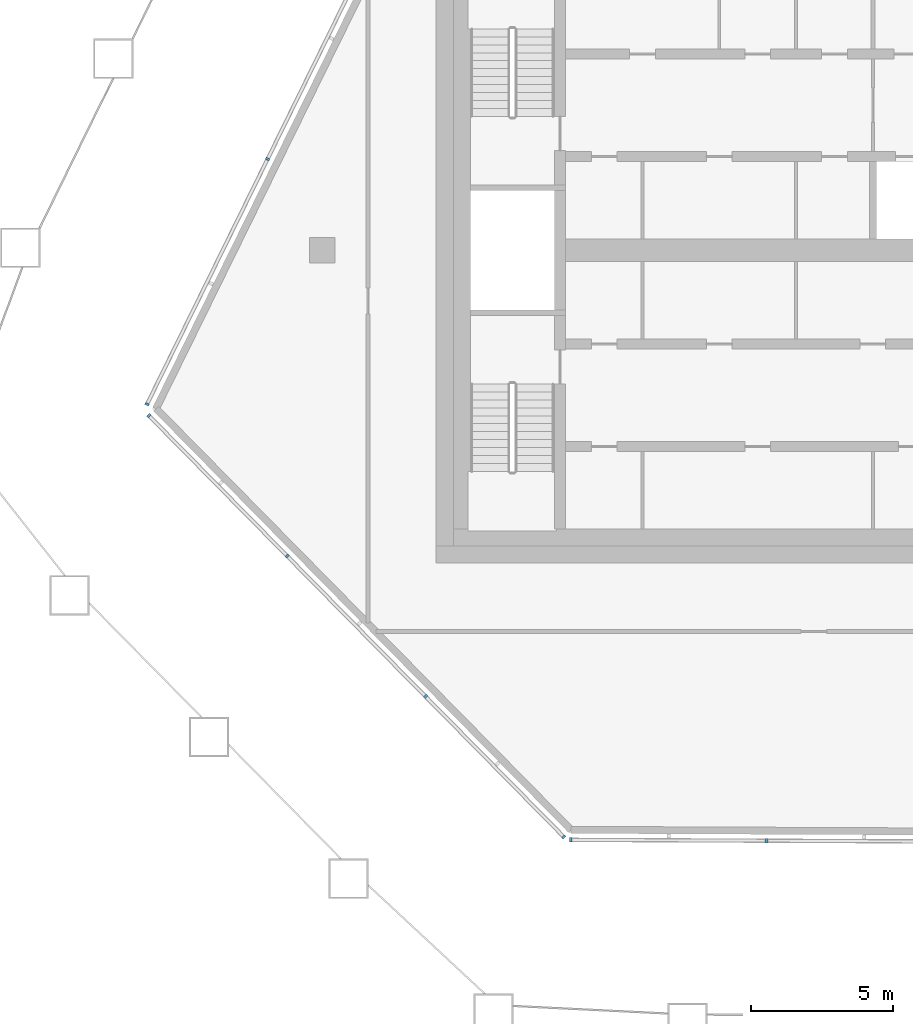
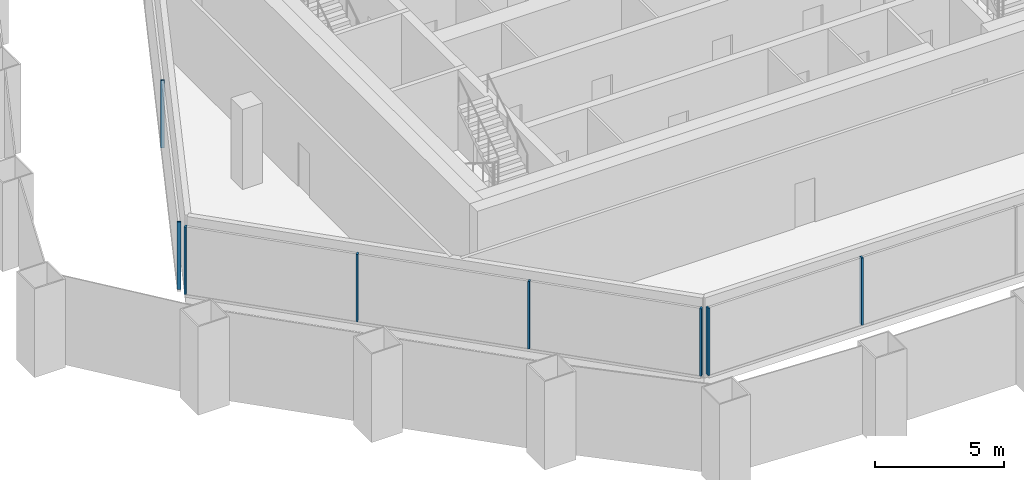
# One storey, part 2 of 18: 8 members, 3 elements without a shape of their own.
"""IFC4 building model written with IfcOpenShell, lengths in metres."""

from ifc_helpers import new_model, si_unit, direction, frame, origin, origin_2d, place, context, subcontext, project, spatial, rectangle, extrude, material, layer, layer_set, material_profile, profile_set, type_object, element, aggregate, save


model = new_model("IFC4")

# Units and contexts
model_context = context("Model", 3, precision=1e-05, world=origin(), true_north=direction((0.0, 1.0)))
body_context = subcontext(model_context, "Body", "Model", "MODEL_VIEW")
ifc_project = project(units=[si_unit("LENGTHUNIT", "METRE"), si_unit("AREAUNIT", "SQUARE_METRE"), si_unit("VOLUMEUNIT", "CUBIC_METRE"), si_unit("PLANEANGLEUNIT", "RADIAN"), si_unit("MASSUNIT", "GRAM", prefix="KILO")], contexts=[model_context])

# Site, building, storey
site_placement = place(None, origin())
site = spatial("IfcSite", under=ifc_project, at=site_placement, CompositionType="ELEMENT")
building_placement = place(site_placement, origin())
building = spatial("IfcBuilding", under=site, at=building_placement, Name="Dongbaek Canopy Tower", CompositionType="ELEMENT")
storey_placement = place(building_placement, frame((0.0, 0.0, 367.39990234375)))
storey = spatial("IfcBuildingStorey", under=building, at=storey_placement, Name="L79", CompositionType="ELEMENT", Elevation=367.39990234375)

# Curtain wall, members
ifc_material_1 = material(Name="Aluminium 6063-T6 pale anodised", Category="aluminium")
ifc_layer = layer(ifc_material_1, 0.14990234375)
ifc_layer_set = layer_set([ifc_layer], Name="CW-7 louvre curtain wall")
curtain_wall_type = type_object("IfcCurtainWallType", Name="CW-7 louvre curtain wall", PredefinedType="NOTDEFINED", material=ifc_layer_set)
curtain_wall_1_placement = place(storey_placement, origin())
curtain_wall_1 = element("IfcCurtainWall", 1, at=curtain_wall_1_placement, inside=storey, type_object=curtain_wall_type, Name="CW-7 louvre wall L79 F0", PredefinedType="NOTDEFINED")
ifc_material_2 = material(Name="Aluminium 6063-T6 pale anodised", Category="aluminium")
ifc_material_profile = material_profile(ifc_material_2, rectangle(XDim=0.14990234375, YDim=0.080078125, at=origin_2d()), Name="CW-7 mullion 80 x 150")
ifc_profile_set = profile_set([ifc_material_profile], Name="Aluminium 6063-T6 pale anodised")
member_type = type_object("IfcMemberType", Name="CW-7 mullion 80 x 150", PredefinedType="MULLION", material=ifc_profile_set)
member_1_placement = place(storey_placement, frame((-9.267333984375, -20.7265625, 0.300048828125), z_axis=(0.0, 0.0, 1.0), x_axis=(-0.004466136555, -0.999990026762, 0.0)))
member_1 = element("IfcMember", 2, at=member_1_placement, type_object=member_type, Name="CW-7 mullion L79 F0.1.1", PredefinedType="MULLION", context=body_context, shape_type="SweptSolid", body=[
    extrude(rectangle(XDim=0.14990234375, YDim=0.080078125, at=origin_2d()), origin(), (0.0, 0.0, 1.0), 3.199951171875),
])
member_2_placement = place(storey_placement, frame((-2.3896484375, -20.75732421875, 0.300048828125), z_axis=(0.0, 0.0, 1.0), x_axis=(-0.004466136555, -0.999990026762, 0.0)))
member_2 = element("IfcMember", 3, at=member_2_placement, type_object=member_type, Name="CW-7 mullion L79 F0.1.2", PredefinedType="MULLION", context=body_context, shape_type="SweptSolid", body=[
    extrude(rectangle(XDim=0.14990234375, YDim=0.080078125, at=origin_2d()), origin(), (0.0, 0.0, 1.0), 3.199951171875),
])
aggregate(curtain_wall_1, [member_1, member_2])

curtain_wall_2_placement = place(storey_placement, origin())
curtain_wall_2 = element("IfcCurtainWall", 4, at=curtain_wall_2_placement, inside=storey, type_object=curtain_wall_type, Name="CW-7 louvre wall L79 F4", PredefinedType="NOTDEFINED")
member_3_placement = place(storey_placement, frame((-19.927734375, 3.202392578125, 0.300048828125), z_axis=(0.0, 0.0, 1.0), x_axis=(-0.897339163834, 0.441341619439, 0.0)))
member_3 = element("IfcMember", 5, at=member_3_placement, type_object=member_type, Name="CW-7 mullion L79 F4.1.3", PredefinedType="MULLION", context=body_context, shape_type="SweptSolid", body=[
    extrude(rectangle(XDim=0.14990234375, YDim=0.080078125, at=origin_2d()), origin(), (0.0, 0.0, 1.0), 3.199951171875),
])
member_4_placement = place(storey_placement, frame((-24.165283203125, -5.41357421875, 0.300048828125), z_axis=(0.0, 0.0, 1.0), x_axis=(-0.897339163834, 0.441341619439, 0.0)))
member_4 = element("IfcMember", 6, at=member_4_placement, type_object=member_type, Name="CW-7 mullion L79 F4.1.4", PredefinedType="MULLION", context=body_context, shape_type="SweptSolid", body=[
    extrude(rectangle(XDim=0.14990234375, YDim=0.080078125, at=origin_2d()), origin(), (0.0, 0.0, 1.0), 3.199951171875),
])
aggregate(curtain_wall_2, [member_3, member_4])

curtain_wall_3_placement = place(storey_placement, origin())
curtain_wall_3 = element("IfcCurtainWall", 7, at=curtain_wall_3_placement, inside=storey, type_object=curtain_wall_type, Name="CW-7 louvre wall L79 F5", PredefinedType="NOTDEFINED")
member_5_placement = place(storey_placement, frame((-24.1005859375, -5.813720703125, 0.300048828125), z_axis=(0.0, 0.0, 1.0), x_axis=(-0.712454538603, -0.70171826998, 0.0)))
member_5 = element("IfcMember", 8, at=member_5_placement, type_object=member_type, Name="CW-7 mullion L79 F5.1.1", PredefinedType="MULLION", context=body_context, shape_type="SweptSolid", body=[
    extrude(rectangle(XDim=0.14990234375, YDim=0.080078125, at=origin_2d()), origin(), (0.0, 0.0, 1.0), 3.199951171875),
])
member_6_placement = place(storey_placement, frame((-19.23876953125, -10.749755859375, 0.300048828125), z_axis=(0.0, 0.0, 1.0), x_axis=(-0.712454538603, -0.70171826998, 0.0)))
member_6 = element("IfcMember", 9, at=member_6_placement, type_object=member_type, Name="CW-7 mullion L79 F5.1.2", PredefinedType="MULLION", context=body_context, shape_type="SweptSolid", body=[
    extrude(rectangle(XDim=0.14990234375, YDim=0.080078125, at=origin_2d()), origin(), (0.0, 0.0, 1.0), 3.199951171875),
])
member_7_placement = place(storey_placement, frame((-14.376953125, -15.68603515625, 0.300048828125), z_axis=(0.0, 0.0, 1.0), x_axis=(-0.712454538603, -0.70171826998, 0.0)))
member_7 = element("IfcMember", 10, at=member_7_placement, type_object=member_type, Name="CW-7 mullion L79 F5.1.3", PredefinedType="MULLION", context=body_context, shape_type="SweptSolid", body=[
    extrude(rectangle(XDim=0.14990234375, YDim=0.080078125, at=origin_2d()), origin(), (0.0, 0.0, 1.0), 3.199951171875),
])
member_8_placement = place(storey_placement, frame((-9.51513671875, -20.622314453125, 0.300048828125), z_axis=(0.0, 0.0, 1.0), x_axis=(-0.712454538603, -0.70171826998, 0.0)))
member_8 = element("IfcMember", 11, at=member_8_placement, type_object=member_type, Name="CW-7 mullion L79 F5.1.4", PredefinedType="MULLION", context=body_context, shape_type="SweptSolid", body=[
    extrude(rectangle(XDim=0.14990234375, YDim=0.080078125, at=origin_2d()), origin(), (0.0, 0.0, 1.0), 3.199951171875),
])
aggregate(curtain_wall_3, [member_5, member_6, member_7, member_8])

save(model, "model.ifc")
